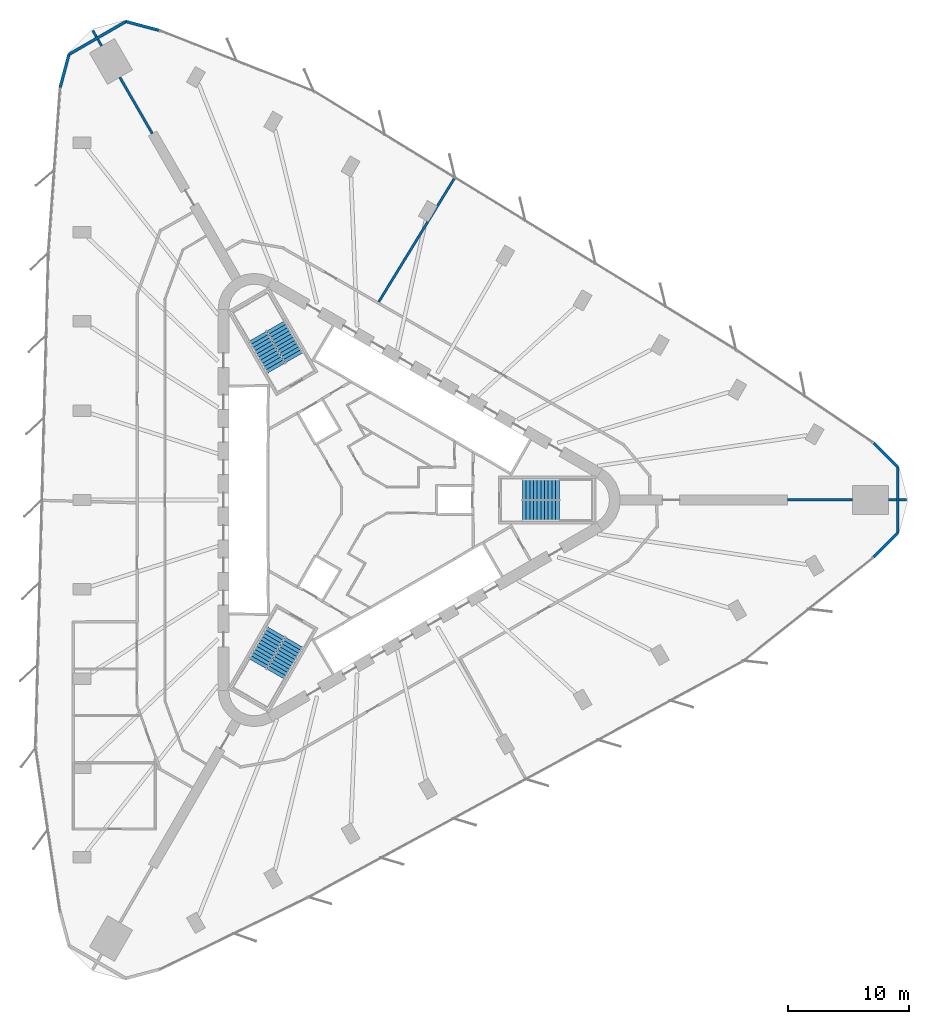
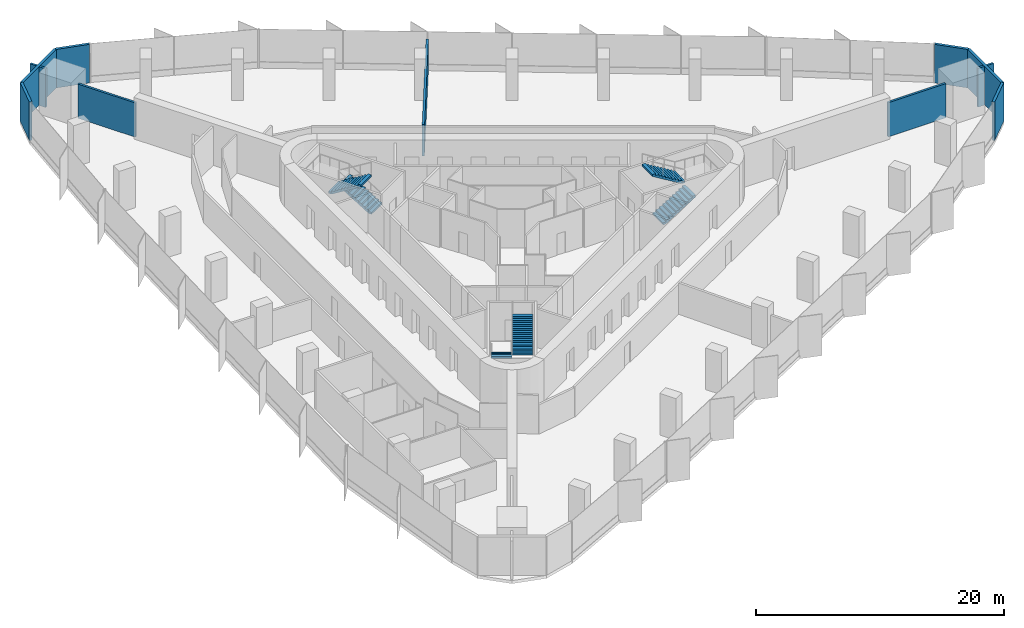
# One storey, part 12 of 13: 13 walls, 6 stair flights, 3 elements without a shape of their own.
"""IFC4 building model written with IfcOpenShell, lengths in metres."""

from ifc_helpers import new_model, si_unit, direction, frame, frame_2d, origin, place, context, subcontext, project, spatial, polyline, rectangle, outline, extrude, material, layer, layer_set, type_object, element, aggregate, save


model = new_model("IFC4")

# Units and contexts
model_context = context("Model", 3, precision=1e-05, world=origin(), true_north=direction((0.0, 1.0)))
body_context = subcontext(model_context, "Body", "Model", "MODEL_VIEW")
ifc_project = project(units=[si_unit("LENGTHUNIT", "METRE"), si_unit("AREAUNIT", "SQUARE_METRE"), si_unit("VOLUMEUNIT", "CUBIC_METRE"), si_unit("PLANEANGLEUNIT", "RADIAN"), si_unit("MASSUNIT", "GRAM", prefix="KILO")], contexts=[model_context])

# Site, building, storey
site_placement = place(None, origin())
site = spatial("IfcSite", under=ifc_project, at=site_placement, CompositionType="ELEMENT")
building_placement = place(site_placement, origin())
building = spatial("IfcBuilding", under=site, at=building_placement, Name="Tanit Gate Tower", CompositionType="ELEMENT")
storey_placement = place(building_placement, frame((0.0, 0.0, 61.89990234375)))
storey = spatial("IfcBuildingStorey", under=building, at=storey_placement, Name="L11", CompositionType="ELEMENT", Elevation=61.89990234375)

# Walls
ifc_material_1 = material(Name="Concrete C30/37 with bronze anodised aluminium cladding", Category="concrete")
ifc_layer_1 = layer(ifc_material_1, 0.239990234375)
ifc_layer_set_1 = layer_set([ifc_layer_1], Name="Facade wall bronze clad 240")
wall_type_1 = type_object("IfcWallType", Name="Facade wall bronze clad 240", PredefinedType="SOLIDWALL", material=ifc_layer_set_1)
wall_1_placement = place(storey_placement, frame((-16.968994140625, 38.868896484375, 0.0), z_axis=(0.0, 0.0, 1.0), x_axis=(-0.965929678743, 0.258804667121, 0.0)))
element("IfcWall", 1, at=wall_1_placement, inside=storey, type_object=wall_type_1, Name="Bronze-clad facade wall L11 NW.arc1", PredefinedType="SOLIDWALL", context=body_context, shape_type="SweptSolid", body=[
    extrude(rectangle(XDim=2.846923828125, YDim=0.239990234375, at=frame_2d((1.42333984375, 0.0))), origin(), (0.0, 0.0, 1.0), 3.800048828125),
])
wall_2_placement = place(storey_placement, frame((-19.718994140625, 39.605712890625, 0.0), z_axis=(0.0, 0.0, 1.0), x_axis=(-0.866029712004, -0.499992537871, 0.0)))
element("IfcWall", 2, at=wall_2_placement, inside=storey, type_object=wall_type_1, Name="Bronze-clad facade wall L11 NW.arc2", PredefinedType="SOLIDWALL", context=body_context, shape_type="SweptSolid", body=[
    extrude(rectangle(XDim=5.451171875, YDim=0.239990234375, at=frame_2d((2.7255859375, 0.0))), origin(), (0.0, 0.0, 1.0), 3.800048828125),
])
wall_3_placement = place(storey_placement, frame((-24.43994140625, 36.880126953125, 0.0), z_axis=(0.0, 0.0, 1.0), x_axis=(-0.258870602714, -0.965912009994, 0.0)))
element("IfcWall", 3, at=wall_3_placement, inside=storey, type_object=wall_type_1, Name="Bronze-clad facade wall L11 NW.arc3", PredefinedType="SOLIDWALL", context=body_context, shape_type="SweptSolid", body=[
    extrude(rectangle(XDim=2.842529296875, YDim=0.239990234375, at=frame_2d((1.42138671875, 0.0))), origin(), (0.0, 0.0, 1.0), 3.800048828125),
])
wall_4_placement = place(storey_placement, frame((42.14599609375, -4.73876953125, 0.0), z_axis=(0.0, 0.0, 1.0), x_axis=(0.707106781187, 0.707106781187, 0.0)))
element("IfcWall", 4, at=wall_4_placement, inside=storey, type_object=wall_type_1, Name="Bronze-clad facade wall L11 E.arc1", PredefinedType="SOLIDWALL", context=body_context, shape_type="SweptSolid", body=[
    extrude(rectangle(XDim=2.84716796875, YDim=0.239990234375, at=frame_2d((1.423583984375, 0.0))), origin(), (0.0, 0.0, 1.0), 3.800048828125),
])
wall_5_placement = place(storey_placement, frame((44.1591796875, -2.7255859375, 0.0), z_axis=(0.0, 0.0, 1.0), x_axis=(0.0, 1.0, 0.0)))
element("IfcWall", 5, at=wall_5_placement, inside=storey, type_object=wall_type_1, Name="Bronze-clad facade wall L11 E.arc2", PredefinedType="SOLIDWALL", context=body_context, shape_type="SweptSolid", body=[
    extrude(rectangle(XDim=5.451171875, YDim=0.239990234375, at=frame_2d((2.7255859375, 0.0))), origin(), (0.0, 0.0, 1.0), 3.800048828125),
])
wall_6_placement = place(storey_placement, frame((44.1591796875, 2.7255859375, 0.0), z_axis=(0.0, 0.0, 1.0), x_axis=(-0.707106781187, 0.707106781187, 0.0)))
element("IfcWall", 6, at=wall_6_placement, inside=storey, type_object=wall_type_1, Name="Bronze-clad facade wall L11 E.arc3", PredefinedType="SOLIDWALL", context=body_context, shape_type="SweptSolid", body=[
    extrude(rectangle(XDim=2.842529296875, YDim=0.239990234375, at=frame_2d((1.42138671875, 0.0))), origin(), (0.0, 0.0, 1.0), 3.800048828125),
])
ifc_material_2 = material(Name="Fire-rated gypsum board partition")
ifc_layer_2 = layer(ifc_material_2, 0.199951171875)
ifc_layer_set_2 = layer_set([ifc_layer_2], Name="INT-WALL-COMPARTMENT")
wall_type_2 = type_object("IfcWallType", Name="INT-WALL-COMPARTMENT", PredefinedType="PARTITIONING", material=ifc_layer_set_2)
wall_7_placement = place(storey_placement, frame((-22.466552734375, 38.853515625, 0.0), z_axis=(0.0, 0.0, 1.0), x_axis=(0.499757541684, -0.866165341912, 0.0)))
element("IfcWall", 7, at=wall_7_placement, inside=storey, type_object=wall_type_2, Name="Wall Compartment W124", PredefinedType="PARTITIONING", context=body_context, shape_type="SweptSolid", body=[
    extrude(rectangle(XDim=0.602294921875, YDim=0.199951171875, at=frame_2d((0.30126953125, 0.0))), origin(), (0.0, 0.0, 1.0), 3.800048828125),
])
wall_8_placement = place(storey_placement, frame((-22.04541015625, 38.1240234375, 0.0), z_axis=(0.0, 0.0, 1.0), x_axis=(0.49966612908, -0.86621807846, 0.0)))
element("IfcWall", 8, at=wall_8_placement, inside=storey, type_object=wall_type_2, Name="Wall Compartment W124x1", PredefinedType="PARTITIONING", context=body_context, shape_type="SweptSolid", body=[
    extrude(rectangle(XDim=0.62548828125, YDim=0.199951171875, at=frame_2d((0.312744140625, 0.0))), origin(), (0.0, 0.0, 1.0), 3.800048828125),
])
wall_9_placement = place(storey_placement, frame((-20.23291015625, 34.984130859375, 0.0), z_axis=(0.0, 0.0, 1.0), x_axis=(0.500014458952, -0.866017055744, 0.0)))
element("IfcWall", 9, at=wall_9_placement, inside=storey, type_object=wall_type_2, Name="Wall Compartment W125", PredefinedType="PARTITIONING", context=body_context, shape_type="SweptSolid", body=[
    extrude(rectangle(XDim=5.379638671875, YDim=0.199951171875, at=frame_2d((2.68994140625, 0.0))), origin(), (0.0, 0.0, 1.0), 3.3701171875),
])
wall_10_placement = place(storey_placement, frame((7.503173828125, 26.68505859375, 0.0), z_axis=(0.0, 0.0, 1.0), x_axis=(-0.522270694587, -0.852779761472, 0.0)))
element("IfcWall", 10, at=wall_10_placement, inside=storey, type_object=wall_type_2, Name="Wall Compartment W126", PredefinedType="PARTITIONING", context=body_context, shape_type="SweptSolid", body=[
    extrude(rectangle(XDim=12.065673828125, YDim=0.199951171875, at=frame_2d((6.03271484375, 0.0))), origin(), (0.0, 0.0, 1.0), 3.080078125),
])
wall_11_placement = place(storey_placement, frame((35.033935546875, 0.02001953125, 0.0), z_axis=(0.0, 0.0, 1.0), x_axis=(0.999998268947, 0.001860672976, 0.0)))
element("IfcWall", 11, at=wall_11_placement, inside=storey, type_object=wall_type_2, Name="Wall Compartment W127", PredefinedType="PARTITIONING", context=body_context, shape_type="SweptSolid", body=[
    extrude(rectangle(XDim=5.379638671875, YDim=0.199951171875, at=frame_2d((2.68994140625, 0.0))), origin(), (0.0, 0.0, 1.0), 3.3701171875),
])
wall_12_placement = place(storey_placement, frame((43.41357421875, 0.030029296875, 0.0), z_axis=(0.0, 0.0, 1.0), x_axis=(1.0, 0.0, 0.0)))
element("IfcWall", 12, at=wall_12_placement, inside=storey, type_object=wall_type_2, Name="Wall Compartment W128", PredefinedType="PARTITIONING", context=body_context, shape_type="SweptSolid", body=[
    extrude(rectangle(XDim=0.62548828125, YDim=0.199951171875, at=frame_2d((0.312744140625, 0.0))), origin(), (0.0, 0.0, 1.0), 3.800048828125),
])
wall_13_placement = place(storey_placement, frame((44.279052734375, 0.030029296875, 0.0), z_axis=(0.0, 0.0, 1.0), x_axis=(1.0, 0.0, 0.0)))
element("IfcWall", 13, at=wall_13_placement, inside=storey, type_object=wall_type_2, Name="Wall Compartment W128x1", PredefinedType="PARTITIONING", context=body_context, shape_type="SweptSolid", body=[
    extrude(rectangle(XDim=0.602294921875, YDim=0.199951171875, at=frame_2d((0.30126953125, 0.0))), origin(), (0.0, 0.0, 1.0), 3.800048828125),
])

# Stair, stair flights
ifc_material_3 = material(Name="Concrete C40/50", Category="concrete")
stair_type = type_object("IfcStairType", Name="INT-STAIR-EXIT", PredefinedType="HALF_TURN_STAIR", material=ifc_material_3)
stair_1_placement = place(storey_placement, origin())
stair_1 = element("IfcStair", 14, at=stair_1_placement, inside=storey, type_object=stair_type, Name="L11 STAIR S1", PredefinedType="HALF_TURN_STAIR")
ifc_material_4 = material(Name="Concrete C40/50", Category="concrete")
stair_flight_type = type_object("IfcStairFlightType", Name="INT-STAIR-FLIGHT", PredefinedType="STRAIGHT", material=ifc_material_4)
stair_flight_1_placement = place(storey_placement, frame((13.094970703125, -0.8525390625, 0.0), z_axis=(0.0, 0.0, 1.0), x_axis=(1.0, 0.0, 0.0)))
stair_flight_1 = element("IfcStairFlight", 15, at=stair_flight_1_placement, type_object=stair_flight_type, Name="S1 flight 1", NumberOfRisers=11, NumberOfTreads=10, PredefinedType="STRAIGHT", RiserHeight=0.186363636, TreadLength=0.3051, context=body_context, shape_type="SweptSolid", body=[
    extrude(outline(polyline([(0.0, 0.0), (0.0, 0.186279296875), (0.30517578125, 0.186279296875), (0.30517578125, 0.372802734375), (0.610107421875, 0.372802734375), (0.610107421875, 0.55908203125), (0.915283203125, 0.55908203125), (0.915283203125, 0.745361328125), (1.220458984375, 0.745361328125), (1.220458984375, 0.931884765625), (1.525390625, 0.931884765625), (1.525390625, 1.1181640625), (1.83056640625, 1.1181640625), (1.83056640625, 1.304443359375), (2.1357421875, 1.304443359375), (2.1357421875, 1.490966796875), (2.44091796875, 1.490966796875), (2.44091796875, 1.67724609375), (2.745849609375, 1.67724609375), (2.745849609375, 1.863525390625), (3.051025390625, 1.863525390625), (3.051025390625, 2.050048828125), (3.051025390625, 1.68798828125), (0.28759765625, 0.0), (0.0, 0.0)])), frame((0.0, 0.84765625, 0.0), z_axis=(0.0, -1.0, 0.0), x_axis=(1.0, 0.0, 0.0)), (0.0, 0.0, 1.0), 1.695068359375),
])
stair_flight_2_placement = place(storey_placement, frame((16.14599609375, 0.8525390625, 2.050048828125), z_axis=(0.0, 0.0, 1.0), x_axis=(-1.0, 0.0, 0.0)))
stair_flight_2 = element("IfcStairFlight", 16, at=stair_flight_2_placement, type_object=stair_flight_type, Name="S1 flight 2", NumberOfRisers=11, NumberOfTreads=10, PredefinedType="STRAIGHT", RiserHeight=0.186363636, TreadLength=0.3051, context=body_context, shape_type="SweptSolid", body=[
    extrude(outline(polyline([(0.0, 0.0), (0.0, 0.186279296875), (0.30517578125, 0.186279296875), (0.30517578125, 0.372802734375), (0.610107421875, 0.372802734375), (0.610107421875, 0.55908203125), (0.915283203125, 0.55908203125), (0.915283203125, 0.745361328125), (1.220458984375, 0.745361328125), (1.220458984375, 0.931884765625), (1.525390625, 0.931884765625), (1.525390625, 1.1181640625), (1.83056640625, 1.1181640625), (1.83056640625, 1.304443359375), (2.1357421875, 1.304443359375), (2.1357421875, 1.490966796875), (2.44091796875, 1.490966796875), (2.44091796875, 1.67724609375), (2.745849609375, 1.67724609375), (2.745849609375, 1.863525390625), (3.051025390625, 1.863525390625), (3.051025390625, 2.050048828125), (3.051025390625, 1.68798828125), (0.28759765625, 0.0), (0.0, 0.0)])), frame((0.0, 0.84765625, 0.0), z_axis=(0.0, -1.0, 0.0), x_axis=(1.0, 0.0, 0.0)), (0.0, 0.0, 1.0), 1.695068359375),
])
aggregate(stair_1, [stair_flight_1, stair_flight_2])

stair_2_placement = place(storey_placement, origin())
stair_2 = element("IfcStair", 17, at=stair_2_placement, inside=storey, type_object=stair_type, Name="L11 STAIR S2", PredefinedType="HALF_TURN_STAIR")
stair_flight_3_placement = place(storey_placement, frame((-5.808349609375, 11.766357421875, 0.0), z_axis=(0.0, 0.0, 1.0), x_axis=(-0.5, 0.866025403784, 0.0)))
stair_flight_3 = element("IfcStairFlight", 18, at=stair_flight_3_placement, type_object=stair_flight_type, Name="S2 flight 1", NumberOfRisers=11, NumberOfTreads=10, PredefinedType="STRAIGHT", RiserHeight=0.186363636, TreadLength=0.30492, context=body_context, shape_type="SweptSolid", body=[
    extrude(outline(polyline([(0.0, 0.0), (0.0, 0.186279296875), (0.304931640625, 0.186279296875), (0.304931640625, 0.372802734375), (0.60986328125, 0.372802734375), (0.60986328125, 0.55908203125), (0.914794921875, 0.55908203125), (0.914794921875, 0.745361328125), (1.2197265625, 0.745361328125), (1.2197265625, 0.931884765625), (1.524658203125, 0.931884765625), (1.524658203125, 1.1181640625), (1.82958984375, 1.1181640625), (1.82958984375, 1.304443359375), (2.134521484375, 1.304443359375), (2.134521484375, 1.490966796875), (2.439453125, 1.490966796875), (2.439453125, 1.67724609375), (2.744384765625, 1.67724609375), (2.744384765625, 1.863525390625), (3.04931640625, 1.863525390625), (3.04931640625, 2.050048828125), (3.04931640625, 1.68798828125), (0.287353515625, 0.0), (0.0, 0.0)])), frame((0.0, 0.84716796875, 0.0), z_axis=(0.0, -1.0, 0.0), x_axis=(1.0, 0.0, 0.0)), (0.0, 0.0, 1.0), 1.694091796875),
])
stair_flight_4_placement = place(storey_placement, frame((-8.810302734375, 13.553955078125, 2.050048828125), z_axis=(0.0, 0.0, 1.0), x_axis=(0.5, -0.866025403784, 0.0)))
stair_flight_4 = element("IfcStairFlight", 19, at=stair_flight_4_placement, type_object=stair_flight_type, Name="S2 flight 2", NumberOfRisers=11, NumberOfTreads=10, PredefinedType="STRAIGHT", RiserHeight=0.186363636, TreadLength=0.30492, context=body_context, shape_type="SweptSolid", body=[
    extrude(outline(polyline([(0.0, 0.0), (0.0, 0.186279296875), (0.304931640625, 0.186279296875), (0.304931640625, 0.372802734375), (0.60986328125, 0.372802734375), (0.60986328125, 0.55908203125), (0.914794921875, 0.55908203125), (0.914794921875, 0.745361328125), (1.2197265625, 0.745361328125), (1.2197265625, 0.931884765625), (1.524658203125, 0.931884765625), (1.524658203125, 1.1181640625), (1.82958984375, 1.1181640625), (1.82958984375, 1.304443359375), (2.134521484375, 1.304443359375), (2.134521484375, 1.490966796875), (2.439453125, 1.490966796875), (2.439453125, 1.67724609375), (2.744384765625, 1.67724609375), (2.744384765625, 1.863525390625), (3.04931640625, 1.863525390625), (3.04931640625, 2.050048828125), (3.04931640625, 1.68798828125), (0.287353515625, 0.0), (0.0, 0.0)])), frame((0.0, 0.84716796875, 0.0), z_axis=(0.0, -1.0, 0.0), x_axis=(1.0, 0.0, 0.0)), (0.0, 0.0, 1.0), 1.694091796875),
])
aggregate(stair_2, [stair_flight_3, stair_flight_4])

stair_3_placement = place(storey_placement, origin())
stair_3 = element("IfcStair", 20, at=stair_3_placement, inside=storey, type_object=stair_type, Name="L11 STAIR S3", PredefinedType="HALF_TURN_STAIR")
stair_flight_5_placement = place(storey_placement, frame((-7.285888671875, -10.914306640625, 0.0), z_axis=(0.0, 0.0, 1.0), x_axis=(-0.5, -0.866025403784, 0.0)))
stair_flight_5 = element("IfcStairFlight", 21, at=stair_flight_5_placement, type_object=stair_flight_type, Name="S3 flight 1", NumberOfRisers=11, NumberOfTreads=10, PredefinedType="STRAIGHT", RiserHeight=0.186363636, TreadLength=0.3051, context=body_context, shape_type="SweptSolid", body=[
    extrude(outline(polyline([(0.0, 0.0), (0.0, 0.186279296875), (0.30517578125, 0.186279296875), (0.30517578125, 0.372802734375), (0.610107421875, 0.372802734375), (0.610107421875, 0.55908203125), (0.915283203125, 0.55908203125), (0.915283203125, 0.745361328125), (1.220458984375, 0.745361328125), (1.220458984375, 0.931884765625), (1.525390625, 0.931884765625), (1.525390625, 1.1181640625), (1.83056640625, 1.1181640625), (1.83056640625, 1.304443359375), (2.1357421875, 1.304443359375), (2.1357421875, 1.490966796875), (2.44091796875, 1.490966796875), (2.44091796875, 1.67724609375), (2.745849609375, 1.67724609375), (2.745849609375, 1.863525390625), (3.051025390625, 1.863525390625), (3.051025390625, 2.050048828125), (3.051025390625, 1.68798828125), (0.28759765625, 0.0), (0.0, 0.0)])), frame((0.0, 0.84765625, 0.0), z_axis=(0.0, -1.0, 0.0), x_axis=(1.0, 0.0, 0.0)), (0.0, 0.0, 1.0), 1.695068359375),
])
stair_flight_6_placement = place(storey_placement, frame((-7.334716796875, -14.4091796875, 2.050048828125), z_axis=(0.0, 0.0, 1.0), x_axis=(0.5, 0.866025403784, 0.0)))
stair_flight_6 = element("IfcStairFlight", 22, at=stair_flight_6_placement, type_object=stair_flight_type, Name="S3 flight 2", NumberOfRisers=11, NumberOfTreads=10, PredefinedType="STRAIGHT", RiserHeight=0.186363636, TreadLength=0.3051, context=body_context, shape_type="SweptSolid", body=[
    extrude(outline(polyline([(0.0, 0.0), (0.0, 0.186279296875), (0.30517578125, 0.186279296875), (0.30517578125, 0.372802734375), (0.610107421875, 0.372802734375), (0.610107421875, 0.55908203125), (0.915283203125, 0.55908203125), (0.915283203125, 0.745361328125), (1.220458984375, 0.745361328125), (1.220458984375, 0.931884765625), (1.525390625, 0.931884765625), (1.525390625, 1.1181640625), (1.83056640625, 1.1181640625), (1.83056640625, 1.304443359375), (2.1357421875, 1.304443359375), (2.1357421875, 1.490966796875), (2.44091796875, 1.490966796875), (2.44091796875, 1.67724609375), (2.745849609375, 1.67724609375), (2.745849609375, 1.863525390625), (3.051025390625, 1.863525390625), (3.051025390625, 2.050048828125), (3.051025390625, 1.68798828125), (0.28759765625, 0.0), (0.0, 0.0)])), frame((0.0, 0.84765625, 0.0), z_axis=(0.0, -1.0, 0.0), x_axis=(1.0, 0.0, 0.0)), (0.0, 0.0, 1.0), 1.695068359375),
])
aggregate(stair_3, [stair_flight_5, stair_flight_6])

save(model, "model.ifc")
